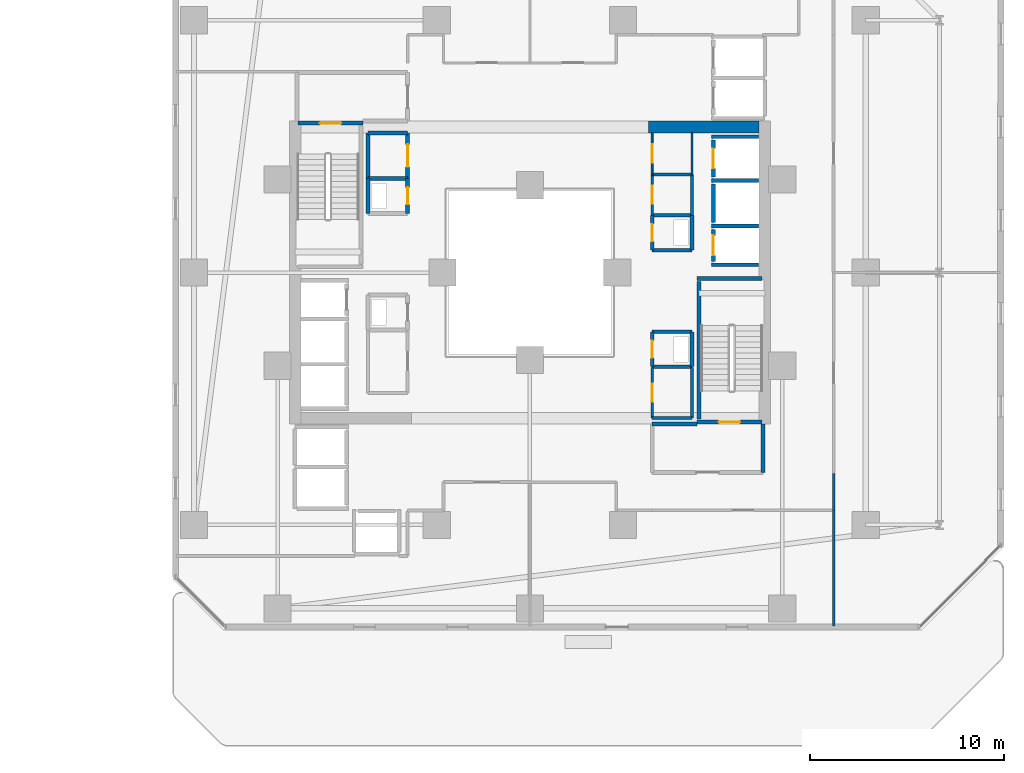
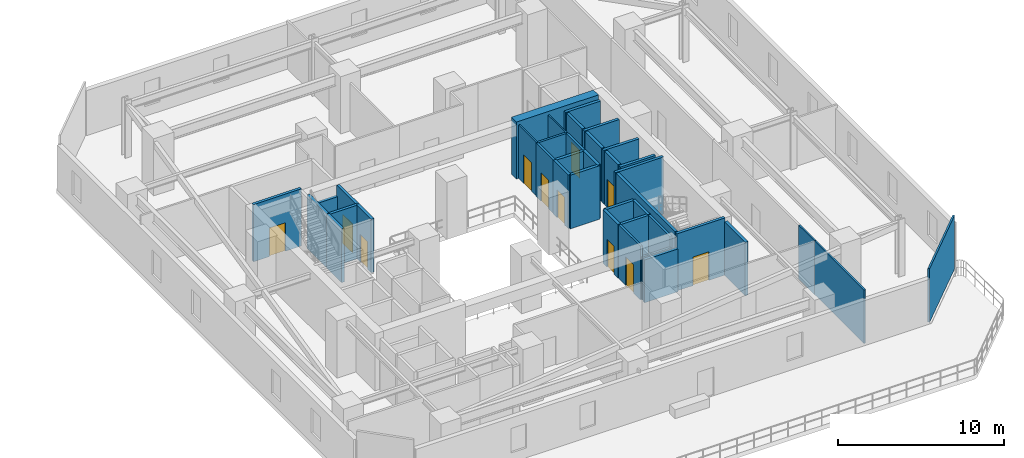
# One storey, part 24 of 33: 39 walls, 11 doors, 11 openings.
"""IFC4 building model written with IfcOpenShell, lengths in metres."""

from ifc_helpers import new_model, si_unit, direction, frame, frame_2d, origin, place, context, subcontext, project, spatial, rectangle, extrude, material, layer, layer_set, type_object, element, fill, save


model = new_model("IFC4")

# Units and contexts
model_context = context("Model", 3, precision=1e-05, world=origin(), true_north=direction((0.0, 1.0)))
body_context = subcontext(model_context, "Body", "Model", "MODEL_VIEW")
ifc_project = project(units=[si_unit("LENGTHUNIT", "METRE"), si_unit("AREAUNIT", "SQUARE_METRE"), si_unit("VOLUMEUNIT", "CUBIC_METRE"), si_unit("PLANEANGLEUNIT", "RADIAN"), si_unit("MASSUNIT", "GRAM", prefix="KILO")], contexts=[model_context])

# Site, building, storey
site_placement = place(None, origin())
site = spatial("IfcSite", under=ifc_project, at=site_placement, CompositionType="ELEMENT")
building_placement = place(site_placement, origin())
building = spatial("IfcBuilding", under=site, at=building_placement, Name="Thornwick Lancets Civic Towers", CompositionType="ELEMENT")
storey_placement = place(building_placement, frame((0.0, 0.0, 49.5)))
storey = spatial("IfcBuildingStorey", under=building, at=storey_placement, Name="L12", CompositionType="ELEMENT", Elevation=49.5)

# Wall, opening, door
ifc_material_1 = material(Name="Concrete blockwork C40/50", Category="masonry")
ifc_layer_1 = layer(ifc_material_1, 0.199951171875, Name="Concrete blockwork C40/50")
ifc_layer_set_1 = layer_set([ifc_layer_1], Name="Concrete blockwork C40/50")
wall_type_1 = type_object("IfcWallType", Name="WALL_COMP_200", PredefinedType="STANDARD", material=ifc_layer_set_1)
wall_1_placement = place(storey_placement, frame((97.949951171875, 29.219970703125, 0.0), z_axis=(0.0, 0.0, 1.0), x_axis=(0.0, -1.0, 0.0)))
wall_1 = element("IfcWall", 1, at=wall_1_placement, inside=storey, type_object=wall_type_1, Name="L12 Hoistway Front Wall FL-B1", PredefinedType="STANDARD", context=body_context, shape_type="SweptSolid", body=[
    extrude(rectangle(XDim=1.639892578125, YDim=0.199951171875, at=frame_2d((0.81982421875, 0.0))), origin(), (0.0, 0.0, 1.0), 3.93994140625),
])
opening_1_placement = place(wall_1_placement, frame((0.31005859375, 0.0, 0.0)))
opening_1 = element("IfcOpeningElement", 2, at=opening_1_placement, cuts=wall_1, Name="Opening LD-FL-B1", PredefinedType="OPENING", context=body_context, shape_type="SweptSolid", body=[
    extrude(rectangle(XDim=1.02001953125, YDim=2.06005859375, at=frame_2d((0.510009765625, 1.030029296875))), frame((0.0, 0.10986328125, 0.0), z_axis=(0.0, -1.0, 0.0), x_axis=(1.0, 0.0, 0.0)), (0.0, 0.0, 1.0), 0.219970703125),
])
ifc_material_2 = material(Name="Brushed bronze stainless steel", Category="steel")
door_type_1 = type_object("IfcDoorType", Name="DOOR_LIFT_SLIDE", OperationType="SLIDING_TO_LEFT", PredefinedType="DOOR", material=ifc_material_2)
door_1_placement = place(opening_1_placement, origin())
door_1 = element("IfcDoor", 3, at=door_1_placement, inside=storey, type_object=door_type_1, Name="L12 Sliding Lift Landing Door LD-FL-B1", OperationType="SLIDING_TO_LEFT", OverallHeight=2.06005859375, OverallWidth=1.02001953125, PredefinedType="DOOR", context=body_context, shape_type="SweptSolid", body=[
    extrude(rectangle(XDim=1.02001953125, YDim=2.06005859375, at=frame_2d((0.510009765625, 1.030029296875))), frame((0.0, 0.02490234375, 0.0), z_axis=(0.0, -1.0, 0.0), x_axis=(1.0, 0.0, 0.0)), (0.0, 0.0, 1.0), 0.050048828125),
])
fill(opening_1, door_1)

# Wall
wall_2_placement = place(storey_placement, frame((97.949951171875, 31.570068359375, 0.0), z_axis=(0.0, 0.0, 1.0), x_axis=(0.0, -1.0, 0.0)))
element("IfcWall", 4, at=wall_2_placement, inside=storey, type_object=wall_type_1, Name="L12 Hoistway Front Wall PL-BH1", PredefinedType="STANDARD", context=body_context, shape_type="SweptSolid", body=[
    extrude(rectangle(XDim=1.989990234375, YDim=0.199951171875, at=frame_2d((0.9951171875, 0.0))), origin(), (0.0, 0.0, 1.0), 3.93994140625),
])

# Wall, opening, door
wall_3_placement = place(storey_placement, frame((97.949951171875, 33.820068359375, 0.0), z_axis=(0.0, 0.0, 1.0), x_axis=(0.0, -1.0, 0.0)))
wall_3 = element("IfcWall", 5, at=wall_3_placement, inside=storey, type_object=wall_type_1, Name="L12 Hoistway Front Wall PL-BL1", PredefinedType="STANDARD", context=body_context, shape_type="SweptSolid", body=[
    extrude(rectangle(XDim=1.89013671875, YDim=0.199951171875, at=frame_2d((0.945068359375, 0.0))), origin(), (0.0, 0.0, 1.0), 3.93994140625),
])
opening_2_placement = place(wall_3_placement, frame((0.43505859375, 0.0, 0.0)))
opening_2 = element("IfcOpeningElement", 6, at=opening_2_placement, cuts=wall_3, Name="Opening LD-PL-BL1", PredefinedType="OPENING", context=body_context, shape_type="SweptSolid", body=[
    extrude(rectangle(XDim=1.02001953125, YDim=2.06005859375, at=frame_2d((0.510009765625, 1.030029296875))), frame((0.0, 0.10986328125, 0.0), z_axis=(0.0, -1.0, 0.0), x_axis=(1.0, 0.0, 0.0)), (0.0, 0.0, 1.0), 0.219970703125),
])
door_2_placement = place(opening_2_placement, origin())
door_2 = element("IfcDoor", 7, at=door_2_placement, inside=storey, type_object=door_type_1, Name="L12 Sliding Lift Landing Door LD-PL-BL1", OperationType="SLIDING_TO_LEFT", OverallHeight=2.06005859375, OverallWidth=1.02001953125, PredefinedType="DOOR", context=body_context, shape_type="SweptSolid", body=[
    extrude(rectangle(XDim=1.02001953125, YDim=2.06005859375, at=frame_2d((0.510009765625, 1.030029296875))), frame((0.0, 0.02490234375, 0.0), z_axis=(0.0, -1.0, 0.0), x_axis=(1.0, 0.0, 0.0)), (0.0, 0.0, 1.0), 0.050048828125),
])
fill(opening_2, door_2)

# Walls
for number, where, z_axis, x_axis, name in (
    (8, (97.85205078125, 29.39990234375, 0.0), (0.0, 0.0, 1.0), (1.0, 0.0, 0.0), "L12 Hoistway Shaft Wall FL-B1 N"),
    (9, (97.85205078125, 27.39990234375, 0.0), (0.0, 0.0, 1.0), (1.0, 0.0, 0.0), "L12 Hoistway Shaft Wall FL-B1 S"),
    (10, (97.85205078125, 31.75, 0.0), (0.0, 0.0, 1.0), (1.0, 0.0, 0.0), "L12 Hoistway Shaft Wall PL-BH1 N"),
    (11, (97.85205078125, 34.0, 0.0), (0.0, 0.0, 1.0), (1.0, 0.0, 0.0), "L12 Hoistway Shaft Wall PL-BL1 N"),
):
    element("IfcWall", number, at=place(storey_placement, frame(where, z_axis=z_axis, x_axis=x_axis)), inside=storey, type_object=wall_type_1, Name=name, PredefinedType="STANDARD", context=body_context, shape_type="SweptSolid", body=[
        extrude(rectangle(XDim=2.43603515625, YDim=0.199951171875, at=frame_2d((1.218017578125, 0.0))), origin(), (0.0, 0.0, 1.0), 3.93994140625),
    ])
wall_4_placement = place(storey_placement, frame((100.5, 16.699951171875, 0.0), z_axis=(0.0, 0.0, 1.0), x_axis=(0.0, 1.0, 0.0)))
element("IfcWall", 12, at=wall_4_placement, inside=storey, type_object=wall_type_1, Name="L12 Partition L12-B-FFLOB1 E2", PredefinedType="STANDARD", context=body_context, shape_type="SweptSolid", body=[
    extrude(rectangle(XDim=2.5, YDim=0.199951171875, at=frame_2d((1.25, 0.0))), origin(), (0.0, 0.0, 1.0), 3.93994140625),
])
wall_5_placement = place(storey_placement, frame((97.10009765625, 19.199951171875, 0.0), z_axis=(0.0, 0.0, 1.0), x_axis=(-1.0, 0.0, 0.0)))
element("IfcWall", 13, at=wall_5_placement, inside=storey, type_object=wall_type_1, Name="L12 Partition L12-B-FFLOB1 E3", PredefinedType="STANDARD", context=body_context, shape_type="SweptSolid", body=[
    extrude(rectangle(XDim=2.300048828125, YDim=0.199951171875, at=frame_2d((1.14990234375, 0.0))), origin(), (0.0, 0.0, 1.0), 3.14501953125),
])
wall_6_placement = place(storey_placement, frame((94.800048828125, 28.14990234375, 0.0), z_axis=(0.0, 0.0, 1.0), x_axis=(1.0, 0.0, 0.0)))
element("IfcWall", 14, at=wall_6_placement, inside=storey, type_object=wall_type_1, Name="L12 Partition L12-B-DUCT1 E1", PredefinedType="STANDARD", context=body_context, shape_type="SweptSolid", body=[
    extrude(rectangle(XDim=2.050048828125, YDim=0.199951171875, at=frame_2d((1.02490234375, 0.0))), origin(), (0.0, 0.0, 1.0), 3.93994140625),
])
wall_7_placement = place(storey_placement, frame((96.85009765625, 28.14990234375, 0.0), z_axis=(0.0, 0.0, 1.0), x_axis=(0.0, 1.0, 0.0)))
element("IfcWall", 15, at=wall_7_placement, inside=storey, type_object=wall_type_1, Name="L12 Partition L12-B-DUCT1 E2", PredefinedType="STANDARD", context=body_context, shape_type="SweptSolid", body=[
    extrude(rectangle(XDim=1.800048828125, YDim=0.199951171875, at=frame_2d((0.89990234375, 0.0))), origin(), (0.0, 0.0, 1.0), 3.93994140625),
])
wall_8_placement = place(storey_placement, frame((96.85009765625, 29.949951171875, 0.0), z_axis=(0.0, 0.0, 1.0), x_axis=(-1.0, 0.0, 0.0)))
element("IfcWall", 16, at=wall_8_placement, inside=storey, type_object=wall_type_1, Name="L12 Partition L12-B-DUCT1 E3", PredefinedType="STANDARD", context=body_context, shape_type="SweptSolid", body=[
    extrude(rectangle(XDim=2.050048828125, YDim=0.199951171875, at=frame_2d((1.02490234375, 0.0))), origin(), (0.0, 0.0, 1.0), 3.93994140625),
])

# Wall, opening, door
wall_9_placement = place(storey_placement, frame((94.800048828125, 29.949951171875, 0.0), z_axis=(0.0, 0.0, 1.0), x_axis=(0.0, -1.0, 0.0)))
wall_9 = element("IfcWall", 17, at=wall_9_placement, inside=storey, type_object=wall_type_1, Name="L12 Partition L12-B-DUCT1 E4", PredefinedType="STANDARD", context=body_context, shape_type="SweptSolid", body=[
    extrude(rectangle(XDim=1.800048828125, YDim=0.199951171875, at=frame_2d((0.89990234375, 0.0))), origin(), (0.0, 0.0, 1.0), 3.93994140625),
])
opening_3_placement = place(wall_9_placement, frame((0.4599609375, 0.0, 0.0)))
opening_3 = element("IfcOpeningElement", 18, at=opening_3_placement, cuts=wall_9, Name="Opening D-L12-0600", PredefinedType="OPENING", context=body_context, shape_type="SweptSolid", body=[
    extrude(rectangle(XDim=0.8798828125, YDim=2.0400390625, at=frame_2d((0.43994140625, 1.02001953125))), frame((0.0, 0.10986328125, 0.0), z_axis=(0.0, -1.0, 0.0), x_axis=(1.0, 0.0, 0.0)), (0.0, 0.0, 1.0), 0.219970703125),
])
ifc_material_3 = material(Name="Steel riser access doorset", Category="steel")
door_type_2 = type_object("IfcDoorType", Name="DOOR_RISER_850", OperationType="NOTDEFINED", PredefinedType="DOOR", material=ifc_material_3)
door_3_placement = place(opening_3_placement, origin())
door_3 = element("IfcDoor", 19, at=door_3_placement, inside=storey, type_object=door_type_2, Name="L12 East Service Duct 1 Door", OperationType="SINGLE_SWING_LEFT", OverallHeight=2.0400390625, OverallWidth=0.8798828125, PredefinedType="DOOR", context=body_context, shape_type="SweptSolid", body=[
    extrude(rectangle(XDim=0.8798828125, YDim=2.0400390625, at=frame_2d((0.43994140625, 1.02001953125))), frame((0.0, 0.02490234375, 0.0), z_axis=(0.0, -1.0, 0.0), x_axis=(1.0, 0.0, 0.0)), (0.0, 0.0, 1.0), 0.050048828125),
])
fill(opening_3, door_3)

# Walls
wall_10_placement = place(storey_placement, frame((94.800048828125, 22.14990234375, 0.0), z_axis=(0.0, 0.0, 1.0), x_axis=(1.0, 0.0, 0.0)))
element("IfcWall", 20, at=wall_10_placement, inside=storey, type_object=wall_type_1, Name="L12 Partition L12-B-RISER1 E1", PredefinedType="STANDARD", context=body_context, shape_type="SweptSolid", body=[
    extrude(rectangle(XDim=2.050048828125, YDim=0.199951171875, at=frame_2d((1.02490234375, 0.0))), origin(), (0.0, 0.0, 1.0), 3.93994140625),
])
wall_11_placement = place(storey_placement, frame((96.85009765625, 22.14990234375, 0.0), z_axis=(0.0, 0.0, 1.0), x_axis=(0.0, 1.0, 0.0)))
element("IfcWall", 21, at=wall_11_placement, inside=storey, type_object=wall_type_1, Name="L12 Partition L12-B-RISER1 E2", PredefinedType="STANDARD", context=body_context, shape_type="SweptSolid", body=[
    extrude(rectangle(XDim=1.800048828125, YDim=0.199951171875, at=frame_2d((0.89990234375, 0.0))), origin(), (0.0, 0.0, 1.0), 3.93994140625),
])
wall_12_placement = place(storey_placement, frame((96.85009765625, 23.949951171875, 0.0), z_axis=(0.0, 0.0, 1.0), x_axis=(-1.0, 0.0, 0.0)))
element("IfcWall", 22, at=wall_12_placement, inside=storey, type_object=wall_type_1, Name="L12 Partition L12-B-RISER1 E3", PredefinedType="STANDARD", context=body_context, shape_type="SweptSolid", body=[
    extrude(rectangle(XDim=2.050048828125, YDim=0.199951171875, at=frame_2d((1.02490234375, 0.0))), origin(), (0.0, 0.0, 1.0), 3.93994140625),
])

# Wall, opening, door
wall_13_placement = place(storey_placement, frame((94.800048828125, 23.949951171875, 0.0), z_axis=(0.0, 0.0, 1.0), x_axis=(0.0, -1.0, 0.0)))
wall_13 = element("IfcWall", 23, at=wall_13_placement, inside=storey, type_object=wall_type_1, Name="L12 Partition L12-B-RISER1 E4", PredefinedType="STANDARD", context=body_context, shape_type="SweptSolid", body=[
    extrude(rectangle(XDim=1.800048828125, YDim=0.199951171875, at=frame_2d((0.89990234375, 0.0))), origin(), (0.0, 0.0, 1.0), 3.93994140625),
])
opening_4_placement = place(wall_13_placement, frame((0.4599609375, 0.0, 0.0)))
opening_4 = element("IfcOpeningElement", 24, at=opening_4_placement, cuts=wall_13, Name="Opening D-L12-0601", PredefinedType="OPENING", context=body_context, shape_type="SweptSolid", body=[
    extrude(rectangle(XDim=0.8798828125, YDim=2.0400390625, at=frame_2d((0.43994140625, 1.02001953125))), frame((0.0, 0.10986328125, 0.0), z_axis=(0.0, -1.0, 0.0), x_axis=(1.0, 0.0, 0.0)), (0.0, 0.0, 1.0), 0.219970703125),
])
door_4_placement = place(opening_4_placement, origin())
door_4 = element("IfcDoor", 25, at=door_4_placement, inside=storey, type_object=door_type_2, Name="L12 East Electrical Riser 1 Door", OperationType="SINGLE_SWING_RIGHT", OverallHeight=2.0400390625, OverallWidth=0.8798828125, PredefinedType="DOOR", context=body_context, shape_type="SweptSolid", body=[
    extrude(rectangle(XDim=0.8798828125, YDim=2.0400390625, at=frame_2d((0.43994140625, 1.02001953125))), frame((0.0, 0.02490234375, 0.0), z_axis=(0.0, -1.0, 0.0), x_axis=(1.0, 0.0, 0.0)), (0.0, 0.0, 1.0), 0.050048828125),
])
fill(opening_4, door_4)

wall_14_placement = place(storey_placement, frame((82.199951171875, 30.050048828125, 0.0), z_axis=(0.0, 0.0, 1.0), x_axis=(0.0, 1.0, 0.0)))
wall_14 = element("IfcWall", 26, at=wall_14_placement, inside=storey, type_object=wall_type_1, Name="L12 Partition L12-B-RISER2 E2", PredefinedType="STANDARD", context=body_context, shape_type="SweptSolid", body=[
    extrude(rectangle(XDim=1.800048828125, YDim=0.199951171875, at=frame_2d((0.89990234375, 0.0))), origin(), (0.0, 0.0, 1.0), 3.93994140625),
])
opening_5_placement = place(wall_14_placement, frame((0.4599609375, 0.0, 0.0)))
opening_5 = element("IfcOpeningElement", 27, at=opening_5_placement, cuts=wall_14, Name="Opening D-L12-0603", PredefinedType="OPENING", context=body_context, shape_type="SweptSolid", body=[
    extrude(rectangle(XDim=0.8798828125, YDim=2.0400390625, at=frame_2d((0.43994140625, 1.02001953125))), frame((0.0, 0.10986328125, 0.0), z_axis=(0.0, -1.0, 0.0), x_axis=(1.0, 0.0, 0.0)), (0.0, 0.0, 1.0), 0.219970703125),
])
door_5_placement = place(opening_5_placement, origin())
door_5 = element("IfcDoor", 28, at=door_5_placement, inside=storey, type_object=door_type_2, Name="L12 West Service Riser 2 Door", OperationType="SINGLE_SWING_RIGHT", OverallHeight=2.0400390625, OverallWidth=0.8798828125, PredefinedType="DOOR", context=body_context, shape_type="SweptSolid", body=[
    extrude(rectangle(XDim=0.8798828125, YDim=2.0400390625, at=frame_2d((0.43994140625, 1.02001953125))), frame((0.0, 0.02490234375, 0.0), z_axis=(0.0, -1.0, 0.0), x_axis=(1.0, 0.0, 0.0)), (0.0, 0.0, 1.0), 0.050048828125),
])
fill(opening_5, door_5)

# Walls
wall_15_placement = place(storey_placement, frame((82.199951171875, 31.85009765625, 0.0), z_axis=(0.0, 0.0, 1.0), x_axis=(-1.0, 0.0, 0.0)))
element("IfcWall", 29, at=wall_15_placement, inside=storey, type_object=wall_type_1, Name="L12 Partition L12-B-RISER2 E3", PredefinedType="STANDARD", context=body_context, shape_type="SweptSolid", body=[
    extrude(rectangle(XDim=2.050048828125, YDim=0.199951171875, at=frame_2d((1.02490234375, 0.0))), origin(), (0.0, 0.0, 1.0), 3.93994140625),
])
wall_16_placement = place(storey_placement, frame((80.14990234375, 31.85009765625, 0.0), z_axis=(0.0, 0.0, 1.0), x_axis=(0.0, -1.0, 0.0)))
element("IfcWall", 30, at=wall_16_placement, inside=storey, type_object=wall_type_1, Name="L12 Partition L12-B-RISER2 E4", PredefinedType="STANDARD", context=body_context, shape_type="SweptSolid", body=[
    extrude(rectangle(XDim=1.800048828125, YDim=0.199951171875, at=frame_2d((0.89990234375, 0.0))), origin(), (0.0, 0.0, 1.0), 3.93994140625),
])
wall_17_placement = place(storey_placement, frame((80.14990234375, 31.85009765625, 0.0), z_axis=(0.0, 0.0, 1.0), x_axis=(0.0, 1.0, 0.0)))
element("IfcWall", 31, at=wall_17_placement, inside=storey, type_object=wall_type_1, Name="L12 Partition L12-B-STR E1", PredefinedType="STANDARD", context=body_context, shape_type="SweptSolid", body=[
    extrude(rectangle(XDim=2.349853515625, YDim=0.199951171875, at=frame_2d((1.1748046875, 0.0))), origin(), (0.0, 0.0, 1.0), 3.93994140625),
])
wall_18_placement = place(storey_placement, frame((80.14990234375, 34.199951171875, 0.0), z_axis=(0.0, 0.0, 1.0), x_axis=(1.0, 0.0, 0.0)))
element("IfcWall", 32, at=wall_18_placement, inside=storey, type_object=wall_type_1, Name="L12 Partition L12-B-STR E2", PredefinedType="STANDARD", context=body_context, shape_type="SweptSolid", body=[
    extrude(rectangle(XDim=2.050048828125, YDim=0.199951171875, at=frame_2d((1.02490234375, 0.0))), origin(), (0.0, 0.0, 1.0), 3.14501953125),
])

# Wall, opening, door
wall_19_placement = place(storey_placement, frame((82.199951171875, 34.199951171875, 0.0), z_axis=(0.0, 0.0, 1.0), x_axis=(0.0, -1.0, 0.0)))
wall_19 = element("IfcWall", 33, at=wall_19_placement, inside=storey, type_object=wall_type_1, Name="L12 Partition L12-B-STR E3", PredefinedType="STANDARD", context=body_context, shape_type="SweptSolid", body=[
    extrude(rectangle(XDim=2.349853515625, YDim=0.199951171875, at=frame_2d((1.1748046875, 0.0))), origin(), (0.0, 0.0, 1.0), 3.93994140625),
])
opening_6_placement = place(wall_19_placement, frame((0.60009765625, 0.0, 0.0)))
opening_6 = element("IfcOpeningElement", 34, at=opening_6_placement, cuts=wall_19, Name="Opening D-L12-0608", PredefinedType="OPENING", context=body_context, shape_type="SweptSolid", body=[
    extrude(rectangle(XDim=1.14990234375, YDim=2.10009765625, at=frame_2d((0.574951171875, 1.050048828125))), frame((0.0, 0.10986328125, 0.0), z_axis=(0.0, -1.0, 0.0), x_axis=(1.0, 0.0, 0.0)), (0.0, 0.0, 1.0), 0.219970703125),
])
ifc_material_4 = material(Name="Glazed fire-resisting steel", Category="steel")
door_type_3 = type_object("IfcDoorType", Name="DOOR_LOBBY_FD60", OperationType="NOTDEFINED", PredefinedType="DOOR", material=ifc_material_4)
door_6_placement = place(opening_6_placement, origin())
door_6 = element("IfcDoor", 35, at=door_6_placement, inside=storey, type_object=door_type_3, Name="L12 Tower B Core Equipment Store Door", OperationType="SINGLE_SWING_LEFT", OverallHeight=2.10009765625, OverallWidth=1.14990234375, PredefinedType="DOOR", context=body_context, shape_type="SweptSolid", body=[
    extrude(rectangle(XDim=1.14990234375, YDim=2.10009765625, at=frame_2d((0.574951171875, 1.050048828125))), frame((0.0, 0.02490234375, 0.0), z_axis=(0.0, -1.0, 0.0), x_axis=(1.0, 0.0, 0.0)), (0.0, 0.0, 1.0), 0.050048828125),
])
fill(opening_6, door_6)

# Wall
ifc_material_5 = material(Name="Concrete C60/75", Category="concrete")
ifc_layer_2 = layer(ifc_material_5, 0.60009765625, Name="Concrete C60/75")
ifc_layer_set_2 = layer_set([ifc_layer_2], Name="Concrete C60/75")
wall_type_2 = type_object("IfcWallType", Name="WALL_CORE_600", PredefinedType="SHEAR", material=ifc_layer_set_2)
wall_20_placement = place(storey_placement, frame((94.60009765625, 34.5, 0.0), z_axis=(0.0, 0.0, 1.0), x_axis=(1.0, 0.0, 0.0)))
element("IfcWall", 36, at=wall_20_placement, inside=storey, type_object=wall_type_2, Name="L12 Split Core B1 Shear Wall N", PredefinedType="SHEAR", context=body_context, shape_type="SweptSolid", body=[
    extrude(rectangle(XDim=5.699951171875, YDim=0.60009765625, at=frame_2d((2.85009765625, 0.0))), origin(), (0.0, 0.0, 1.0), 4.199951171875),
])

# Wall, opening, door
ifc_material_6 = material(Name="Lightweight cellular office partition")
ifc_layer_3 = layer(ifc_material_6, 0.10009765625, Name="Lightweight cellular office partition")
ifc_layer_set_3 = layer_set([ifc_layer_3], Name="Lightweight cellular office partition")
wall_type_3 = type_object("IfcWallType", Name="WALL_PART_100", PredefinedType="PARTITIONING", material=ifc_layer_set_3)
wall_21_placement = place(storey_placement, frame((94.800048828125, 32.050048828125, 0.0), z_axis=(0.0, 0.0, 1.0), x_axis=(0.0, 1.0, 0.0)))
wall_21 = element("IfcWall", 37, at=wall_21_placement, inside=storey, type_object=wall_type_3, Name="L12 Partition L12-B-CLN E1", PredefinedType="PARTITIONING", context=body_context, shape_type="SweptSolid", body=[
    extrude(rectangle(XDim=2.14990234375, YDim=0.10009765625, at=frame_2d((1.074951171875, 0.0))), origin(), (0.0, 0.0, 1.0), 3.93994140625),
])
opening_7_placement = place(wall_21_placement, frame((0.60009765625, 0.0, 0.0)))
opening_7 = element("IfcOpeningElement", 38, at=opening_7_placement, cuts=wall_21, Name="Opening D-L12-0606", PredefinedType="OPENING", context=body_context, shape_type="SweptSolid", body=[
    extrude(rectangle(XDim=0.949951171875, YDim=2.10009765625, at=frame_2d((0.47509765625, 1.050048828125))), frame((0.0, 0.06005859375, 0.0), z_axis=(0.0, -1.0, 0.0), x_axis=(1.0, 0.0, 0.0)), (0.0, 0.0, 1.0), 0.1201171875),
])
ifc_material_7 = material(Name="European oak acoustic doorset")
door_type_4 = type_object("IfcDoorType", Name="DOOR_OFFICE_950", OperationType="NOTDEFINED", PredefinedType="DOOR", material=ifc_material_7)
door_7_placement = place(opening_7_placement, origin())
door_7 = element("IfcDoor", 39, at=door_7_placement, inside=storey, type_object=door_type_4, Name="L12 Tower B Cleaners Store Door", OperationType="SINGLE_SWING_LEFT", OverallHeight=2.10009765625, OverallWidth=0.949951171875, PredefinedType="DOOR", context=body_context, shape_type="SweptSolid", body=[
    extrude(rectangle(XDim=0.949951171875, YDim=2.10009765625, at=frame_2d((0.47509765625, 1.050048828125))), frame((0.0, 0.02490234375, 0.0), z_axis=(0.0, -1.0, 0.0), x_axis=(1.0, 0.0, 0.0)), (0.0, 0.0, 1.0), 0.050048828125),
])
fill(opening_7, door_7)

# Walls
wall_22_placement = place(storey_placement, frame((96.85009765625, 34.199951171875, 0.0), z_axis=(0.0, 0.0, 1.0), x_axis=(0.0, -1.0, 0.0)))
element("IfcWall", 40, at=wall_22_placement, inside=storey, type_object=wall_type_3, Name="L12 Partition L12-B-CLN E3", PredefinedType="PARTITIONING", context=body_context, shape_type="SweptSolid", body=[
    extrude(rectangle(XDim=2.14990234375, YDim=0.10009765625, at=frame_2d((1.074951171875, 0.0))), origin(), (0.0, 0.0, 1.0), 3.93994140625),
])
ifc_material_8 = material(Name="Acoustic gypsum board partition")
ifc_layer_4 = layer(ifc_material_8, 0.1201171875, Name="Acoustic gypsum board partition")
ifc_layer_set_4 = layer_set([ifc_layer_4], Name="Acoustic gypsum board partition")
wall_type_4 = type_object("IfcWallType", Name="WALL_PART_120", PredefinedType="PARTITIONING", material=ifc_layer_set_4)
wall_23_placement = place(storey_placement, frame((104.14990234375, 14.75, 0.0), z_axis=(0.0, 0.0, 1.0), x_axis=(0.0, -1.0, 0.0)))
element("IfcWall", 41, at=wall_23_placement, inside=storey, type_object=wall_type_4, Name="L12 Partition L12-B-W1 E4", PredefinedType="PARTITIONING", context=body_context, shape_type="SweptSolid", body=[
    extrude(rectangle(XDim=5.969970703125, YDim=0.1201171875, at=frame_2d((2.98486328125, 0.0))), origin(), (0.0, 0.0, 1.0), 3.93994140625),
])
wall_24_placement = place(storey_placement, frame((104.14990234375, 14.75, 0.0), z_axis=(0.0, 0.0, 1.0), x_axis=(0.0, 1.0, 0.0)))
element("IfcWall", 42, at=wall_24_placement, inside=storey, type_object=wall_type_4, Name="L12 Partition L12-B-S-OFF E3", PredefinedType="PARTITIONING", context=body_context, shape_type="SweptSolid", body=[
    extrude(rectangle(XDim=1.89990234375, YDim=0.1201171875, at=frame_2d((0.949951171875, 0.0))), origin(), (0.0, 0.0, 1.0), 3.93994140625),
])
wall_25_placement = place(storey_placement, frame((112.719970703125, 12.91064453125, 0.0), z_axis=(0.0, 0.0, 1.0), x_axis=(-0.707106781187, -0.707106781187, 0.0)))
element("IfcWall", 43, at=wall_25_placement, inside=storey, type_object=wall_type_4, Name="L12 Partition L12-B-S-OFF E7", PredefinedType="PARTITIONING", context=body_context, shape_type="SweptSolid", body=[
    extrude(rectangle(XDim=5.841552734375, YDim=0.1201171875, at=frame_2d((2.9208984375, 0.0))), origin(), (0.0, 0.0, 1.0), 3.93994140625),
])
ifc_material_9 = material(Name="Twin-stud acoustic gypsum board")
ifc_layer_5 = layer(ifc_material_9, 0.14990234375, Name="Twin-stud acoustic gypsum board")
ifc_layer_set_5 = layer_set([ifc_layer_5], Name="Twin-stud acoustic gypsum board")
wall_type_5 = type_object("IfcWallType", Name="WALL_PART_150", PredefinedType="PARTITIONING", material=ifc_layer_set_5)
wall_26_placement = place(storey_placement, frame((94.800048828125, 19.5, 0.0), z_axis=(0.0, 0.0, 1.0), x_axis=(1.0, 0.0, 0.0)))
element("IfcWall", 44, at=wall_26_placement, inside=storey, type_object=wall_type_5, Name="L12 Partition L12-B-AWC E1", PredefinedType="PARTITIONING", context=body_context, shape_type="SweptSolid", body=[
    extrude(rectangle(XDim=2.050048828125, YDim=0.14990234375, at=frame_2d((1.02490234375, 0.0))), origin(), (0.0, 0.0, 1.0), 3.14501953125),
])
wall_27_placement = place(storey_placement, frame((96.85009765625, 19.5, 0.0), z_axis=(0.0, 0.0, 1.0), x_axis=(0.0, 1.0, 0.0)))
element("IfcWall", 45, at=wall_27_placement, inside=storey, type_object=wall_type_5, Name="L12 Partition L12-B-AWC E2", PredefinedType="PARTITIONING", context=body_context, shape_type="SweptSolid", body=[
    extrude(rectangle(XDim=2.60009765625, YDim=0.14990234375, at=frame_2d((1.300048828125, 0.0))), origin(), (0.0, 0.0, 1.0), 3.93994140625),
])

# Wall, opening, door
wall_28_placement = place(storey_placement, frame((94.800048828125, 22.10009765625, 0.0), z_axis=(0.0, 0.0, 1.0), x_axis=(0.0, -1.0, 0.0)))
wall_28 = element("IfcWall", 46, at=wall_28_placement, inside=storey, type_object=wall_type_5, Name="L12 Partition L12-B-AWC E4", PredefinedType="PARTITIONING", context=body_context, shape_type="SweptSolid", body=[
    extrude(rectangle(XDim=2.60009765625, YDim=0.14990234375, at=frame_2d((1.300048828125, 0.0))), origin(), (0.0, 0.0, 1.0), 3.93994140625),
])
opening_8_placement = place(wall_28_placement, frame((0.840087890625, 0.0, 0.0)))
opening_8 = element("IfcOpeningElement", 47, at=opening_8_placement, cuts=wall_28, Name="Opening D-L12-0604", PredefinedType="OPENING", context=body_context, shape_type="SweptSolid", body=[
    extrude(rectangle(XDim=0.919921875, YDim=2.080078125, at=frame_2d((0.4599609375, 1.0400390625))), frame((0.0, 0.0849609375, 0.0), z_axis=(0.0, -1.0, 0.0), x_axis=(1.0, 0.0, 0.0)), (0.0, 0.0, 1.0), 0.169921875),
])
ifc_material_10 = material(Name="Moisture-resistant oak doorset")
door_type_5 = type_object("IfcDoorType", Name="DOOR_WC_900", OperationType="NOTDEFINED", PredefinedType="DOOR", material=ifc_material_10)
door_8_placement = place(opening_8_placement, origin())
door_8 = element("IfcDoor", 48, at=door_8_placement, inside=storey, type_object=door_type_5, Name="L12 Tower B Accessible WC Door", OperationType="SINGLE_SWING_LEFT", OverallHeight=2.080078125, OverallWidth=0.919921875, PredefinedType="DOOR", context=body_context, shape_type="SweptSolid", body=[
    extrude(rectangle(XDim=0.919921875, YDim=2.080078125, at=frame_2d((0.4599609375, 1.0400390625))), frame((0.0, 0.02490234375, 0.0), z_axis=(0.0, -1.0, 0.0), x_axis=(1.0, 0.0, 0.0)), (0.0, 0.0, 1.0), 0.050048828125),
])
fill(opening_8, door_8)

wall_29_placement = place(storey_placement, frame((94.800048828125, 29.949951171875, 0.0), z_axis=(0.0, 0.0, 1.0), x_axis=(0.0, 1.0, 0.0)))
wall_29 = element("IfcWall", 49, at=wall_29_placement, inside=storey, type_object=wall_type_5, Name="L12 Partition L12-B-MWC E1", PredefinedType="PARTITIONING", context=body_context, shape_type="SweptSolid", body=[
    extrude(rectangle(XDim=2.10009765625, YDim=0.14990234375, at=frame_2d((1.050048828125, 0.0))), origin(), (0.0, 0.0, 1.0), 3.93994140625),
])
opening_9_placement = place(wall_29_placement, frame((0.590087890625, 0.0, 0.0)))
opening_9 = element("IfcOpeningElement", 50, at=opening_9_placement, cuts=wall_29, Name="Opening D-L12-0605", PredefinedType="OPENING", context=body_context, shape_type="SweptSolid", body=[
    extrude(rectangle(XDim=0.919921875, YDim=2.080078125, at=frame_2d((0.4599609375, 1.0400390625))), frame((0.0, 0.0849609375, 0.0), z_axis=(0.0, -1.0, 0.0), x_axis=(1.0, 0.0, 0.0)), (0.0, 0.0, 1.0), 0.169921875),
])
door_9_placement = place(opening_9_placement, origin())
door_9 = element("IfcDoor", 51, at=door_9_placement, inside=storey, type_object=door_type_5, Name="L12 Tower B Male WC Door", OperationType="SINGLE_SWING_RIGHT", OverallHeight=2.080078125, OverallWidth=0.919921875, PredefinedType="DOOR", context=body_context, shape_type="SweptSolid", body=[
    extrude(rectangle(XDim=0.919921875, YDim=2.080078125, at=frame_2d((0.4599609375, 1.0400390625))), frame((0.0, 0.02490234375, 0.0), z_axis=(0.0, -1.0, 0.0), x_axis=(1.0, 0.0, 0.0)), (0.0, 0.0, 1.0), 0.050048828125),
])
fill(opening_9, door_9)

# Walls
wall_30_placement = place(storey_placement, frame((94.800048828125, 32.050048828125, 0.0), z_axis=(0.0, 0.0, 1.0), x_axis=(1.0, 0.0, 0.0)))
element("IfcWall", 52, at=wall_30_placement, inside=storey, type_object=wall_type_5, Name="L12 Partition L12-B-MWC E2", PredefinedType="PARTITIONING", context=body_context, shape_type="SweptSolid", body=[
    extrude(rectangle(XDim=2.050048828125, YDim=0.14990234375, at=frame_2d((1.02490234375, 0.0))), origin(), (0.0, 0.0, 1.0), 3.93994140625),
])
wall_31_placement = place(storey_placement, frame((96.85009765625, 32.050048828125, 0.0), z_axis=(0.0, 0.0, 1.0), x_axis=(0.0, -1.0, 0.0)))
element("IfcWall", 53, at=wall_31_placement, inside=storey, type_object=wall_type_5, Name="L12 Partition L12-B-MWC E3", PredefinedType="PARTITIONING", context=body_context, shape_type="SweptSolid", body=[
    extrude(rectangle(XDim=2.10009765625, YDim=0.14990234375, at=frame_2d((1.050048828125, 0.0))), origin(), (0.0, 0.0, 1.0), 3.93994140625),
])

# Wall, opening, door
ifc_material_11 = material(Name="Concrete C40/50", Category="concrete")
ifc_layer_6 = layer(ifc_material_11, 0.199951171875, Name="Concrete C40/50")
ifc_layer_set_6 = layer_set([ifc_layer_6], Name="Concrete C40/50")
wall_type_6 = type_object("IfcWallType", Name="WALL_SHAFT_200", PredefinedType="SHEAR", material=ifc_layer_set_6)
wall_32_placement = place(storey_placement, frame((100.449951171875, 19.300048828125, 0.0), z_axis=(0.0, 0.0, 1.0), x_axis=(-1.0, 0.0, 0.0)))
wall_32 = element("IfcWall", 54, at=wall_32_placement, inside=storey, type_object=wall_type_6, Name="L12 ST-B1 Fire Stair Core Wall NEAR", PredefinedType="SHEAR", context=body_context, shape_type="SweptSolid", body=[
    extrude(rectangle(XDim=3.349853515625, YDim=0.199951171875, at=frame_2d((1.6748046875, 0.0))), origin(), (0.0, 0.0, 1.0), 4.199951171875),
])
opening_10_placement = place(wall_32_placement, frame((1.125, 0.0, 0.0)))
opening_10 = element("IfcOpeningElement", 55, at=opening_10_placement, cuts=wall_32, Name="Opening D-ST-B1-L12", PredefinedType="OPENING", context=body_context, shape_type="SweptSolid", body=[
    extrude(rectangle(XDim=1.10009765625, YDim=2.10009765625, at=frame_2d((0.550048828125, 1.050048828125))), frame((0.0, 0.10986328125, 0.0), z_axis=(0.0, -1.0, 0.0), x_axis=(1.0, 0.0, 0.0)), (0.0, 0.0, 1.0), 0.219970703125),
])
ifc_material_12 = material(Name="Fire-resisting steel and hardwood", Category="steel")
door_type_6 = type_object("IfcDoorType", Name="DOOR_STAIR_FD60", OperationType="NOTDEFINED", PredefinedType="DOOR", material=ifc_material_12)
door_10_placement = place(opening_10_placement, origin())
door_10 = element("IfcDoor", 56, at=door_10_placement, inside=storey, type_object=door_type_6, Name="L12 ST-B1 Exit Stair Door", OperationType="SINGLE_SWING_RIGHT", OverallHeight=2.10009765625, OverallWidth=1.10009765625, PredefinedType="DOOR", context=body_context, shape_type="SweptSolid", body=[
    extrude(rectangle(XDim=1.10009765625, YDim=2.10009765625, at=frame_2d((0.550048828125, 1.050048828125))), frame((0.0, 0.02490234375, 0.0), z_axis=(0.0, -1.0, 0.0), x_axis=(1.0, 0.0, 0.0)), (0.0, 0.0, 1.0), 0.050048828125),
])
fill(opening_10, door_10)

# Walls
wall_33_placement = place(storey_placement, frame((97.10009765625, 26.699951171875, 0.0), z_axis=(0.0, 0.0, 1.0), x_axis=(1.0, 0.0, 0.0)))
element("IfcWall", 57, at=wall_33_placement, inside=storey, type_object=wall_type_6, Name="L12 ST-B1 Fire Stair Core Wall FAR", PredefinedType="SHEAR", context=body_context, shape_type="SweptSolid", body=[
    extrude(rectangle(XDim=3.349853515625, YDim=0.199951171875, at=frame_2d((1.6748046875, 0.0))), origin(), (0.0, 0.0, 1.0), 4.199951171875),
])
wall_34_placement = place(storey_placement, frame((97.202880859375, 26.550048828125, 0.0), z_axis=(0.0, 0.0, 1.0), x_axis=(0.0, -1.0, 0.0)))
element("IfcWall", 58, at=wall_34_placement, inside=storey, type_object=wall_type_6, Name="L12 ST-B1 Fire Stair Core Wall RIGHT", PredefinedType="SHEAR", context=body_context, shape_type="SweptSolid", body=[
    extrude(rectangle(XDim=7.10009765625, YDim=0.199951171875, at=frame_2d((3.550048828125, 0.0))), origin(), (0.0, 0.0, 1.0), 4.199951171875),
])

# Wall, opening, door
wall_35_placement = place(storey_placement, frame((76.550048828125, 34.699951171875, 0.0), z_axis=(0.0, 0.0, 1.0), x_axis=(1.0, 0.0, 0.0)))
wall_35 = element("IfcWall", 59, at=wall_35_placement, inside=storey, type_object=wall_type_6, Name="L12 ST-B2 Fire Stair Core Wall NEAR", PredefinedType="SHEAR", context=body_context, shape_type="SweptSolid", body=[
    extrude(rectangle(XDim=3.349853515625, YDim=0.199951171875, at=frame_2d((1.6748046875, 0.0))), origin(), (0.0, 0.0, 1.0), 4.199951171875),
])
opening_11_placement = place(wall_35_placement, frame((1.125, 0.0, 0.0)))
opening_11 = element("IfcOpeningElement", 60, at=opening_11_placement, cuts=wall_35, Name="Opening D-ST-B2-L12", PredefinedType="OPENING", context=body_context, shape_type="SweptSolid", body=[
    extrude(rectangle(XDim=1.10009765625, YDim=2.10009765625, at=frame_2d((0.550048828125, 1.050048828125))), frame((0.0, 0.10986328125, 0.0), z_axis=(0.0, -1.0, 0.0), x_axis=(1.0, 0.0, 0.0)), (0.0, 0.0, 1.0), 0.219970703125),
])
door_11_placement = place(opening_11_placement, origin())
door_11 = element("IfcDoor", 61, at=door_11_placement, inside=storey, type_object=door_type_6, Name="L12 ST-B2 Exit Stair Door", OperationType="SINGLE_SWING_LEFT", OverallHeight=2.10009765625, OverallWidth=1.10009765625, PredefinedType="DOOR", context=body_context, shape_type="SweptSolid", body=[
    extrude(rectangle(XDim=1.10009765625, YDim=2.10009765625, at=frame_2d((0.550048828125, 1.050048828125))), frame((0.0, 0.02490234375, 0.0), z_axis=(0.0, -1.0, 0.0), x_axis=(1.0, 0.0, 0.0)), (0.0, 0.0, 1.0), 0.050048828125),
])
fill(opening_11, door_11)

save(model, "model.ifc")
